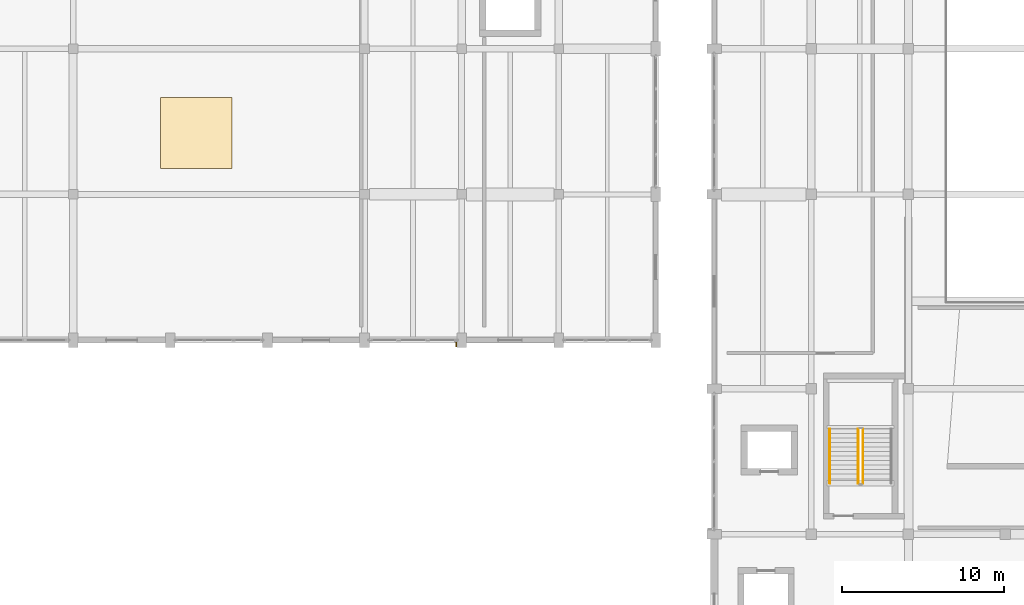
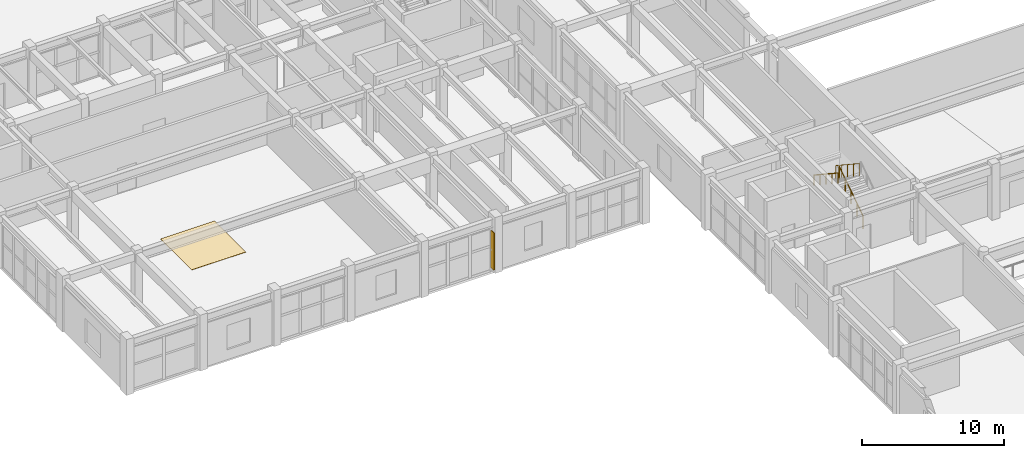
# One storey, part 69 of 80: 3 railings, 1 covering, 1 shading device.
"""IFC4 building model written with IfcOpenShell, lengths in metres."""

from ifc_helpers import new_model, si_unit, direction, frame, origin, origin_2d, place, context, subcontext, project, spatial, polyline, rectangle, circle, outline, extrude, material, layer, layer_set, type_object, element, save


model = new_model("IFC4")

# Units and contexts
model_context = context("Model", 3, precision=1e-05, world=origin(), true_north=direction((0.0, 1.0)))
body_context = subcontext(model_context, "Body", "Model", "MODEL_VIEW")
ifc_project = project(units=[si_unit("LENGTHUNIT", "METRE"), si_unit("AREAUNIT", "SQUARE_METRE"), si_unit("VOLUMEUNIT", "CUBIC_METRE"), si_unit("PLANEANGLEUNIT", "RADIAN"), si_unit("MASSUNIT", "GRAM", prefix="KILO")], contexts=[model_context])

# Site, building, storey
site_placement = place(None, origin())
site = spatial("IfcSite", under=ifc_project, at=site_placement, CompositionType="ELEMENT")
building_placement = place(site_placement, origin())
building = spatial("IfcBuilding", under=site, at=building_placement, Name="Vaelkrest Opera House", CompositionType="ELEMENT")
storey_placement = place(building_placement, frame((0.0, 0.0, 15.0)))
storey = spatial("IfcBuildingStorey", under=building, at=storey_placement, Name="L03", CompositionType="ELEMENT", Elevation=15.0)

# Covering
ifc_material_1 = material(Name="Douglas fir glulam GL28h", Category="wood")
ifc_layer = layer(ifc_material_1, 0.02490234375)
ifc_layer_set = layer_set([ifc_layer], Name="Douglas fir glulam GL28h")
covering_type = type_object("IfcCoveringType", Name="COV-FLR01", PredefinedType="FLOORING", material=ifc_layer_set)
covering_placement = place(storey_placement, origin())
element("IfcCovering", 1, at=covering_placement, inside=storey, type_object=covering_type, Name="Sprung Douglas fir stage flooring 08", PredefinedType="FLOORING", context=body_context, shape_type="SweptSolid", body=[
    extrude(outline(polyline([(-64.199951171875, -6.199951171875), (-59.800048828125, -6.199951171875), (-59.800048828125, -1.800048828125), (-64.199951171875, -1.800048828125), (-64.199951171875, -6.199951171875)])), origin(), (0.0, 0.0, 1.0), 0.02490234375),
])

# Shading device
ifc_material_2 = material(Name="Dark bronze anodized aluminium", Category="aluminium")
shading_device_type = type_object("IfcShadingDeviceType", Name="FIN01", PredefinedType="USERDEFINED", material=ifc_material_2)
shading_device_placement = place(storey_placement, frame((-45.93798828125, -16.97998046875, 0.27294921875), z_axis=(0.0, 0.0, 1.0), x_axis=(0.0, -1.0, 0.0)))
element("IfcShadingDevice", 2, at=shading_device_placement, inside=storey, type_object=shading_device_type, Name="Bronze vertical facade fin 15", ObjectType="FIN", PredefinedType="USERDEFINED", context=body_context, shape_type="SweptSolid", body=[
    extrude(rectangle(XDim=0.449951171875, YDim=0.080078125, at=origin_2d()), origin(), (0.0, 0.0, 1.0), 3.199951171875),
])

# Railings
railing_type_1 = type_object("IfcRailingType", Name="GR02", PredefinedType="GUARDRAIL", material=ifc_material_2)
railing_1_placement = place(storey_placement, frame((-20.800048828125, -25.64990234375, 0.1845703125)))
element("IfcRailing", 3, at=railing_1_placement, inside=storey, type_object=railing_type_1, Name="L03 ST01 stair guard 1", PredefinedType="GUARDRAIL", context=body_context, shape_type="SweptSolid", body=[
    extrude(circle(Radius=0.02392578125, at=origin_2d()), frame((0.0, 0.0, 1.076171875), z_axis=(0.0, 0.834858096282, 0.550465220583), x_axis=(-1.0, 0.0, 0.0)), (0.0, 0.0, 1.0), 4.0244140625),
    extrude(circle(Radius=0.02099609375, at=origin_2d()), origin(), (0.0, 0.0, 1.0), 1.052001953125),
    extrude(circle(Radius=0.02099609375, at=origin_2d()), frame((0.0, 0.83984375, 0.5537109375)), (0.0, 0.0, 1.0), 1.052001953125),
    extrude(circle(Radius=0.02099609375, at=origin_2d()), frame((0.0, 1.679931640625, 1.107666015625)), (0.0, 0.0, 1.0), 1.052001953125),
    extrude(circle(Radius=0.02099609375, at=origin_2d()), frame((0.0, 2.52001953125, 1.66162109375)), (0.0, 0.0, 1.0), 1.052001953125),
    extrude(circle(Radius=0.02099609375, at=origin_2d()), frame((0.0, 3.35986328125, 2.21533203125)), (0.0, 0.0, 1.0), 1.052001953125),
])
railing_2_placement = place(storey_placement, frame((-21.10009765625, -22.2900390625, 2.584716796875)))
element("IfcRailing", 4, at=railing_2_placement, inside=storey, type_object=railing_type_1, Name="L03 ST01 stair guard 3", PredefinedType="GUARDRAIL", context=body_context, shape_type="SweptSolid", body=[
    extrude(circle(Radius=0.02392578125, at=origin_2d()), frame((0.0, 0.0, 1.076171875), z_axis=(0.0, -0.834858096282, 0.550465220583), x_axis=(1.0, 0.0, 0.0)), (0.0, 0.0, 1.0), 4.0244140625),
    extrude(circle(Radius=0.02099609375, at=origin_2d()), origin(), (0.0, 0.0, 1.0), 1.052001953125),
    extrude(circle(Radius=0.02099609375, at=origin_2d()), frame((0.0, -0.83984375, 0.5537109375)), (0.0, 0.0, 1.0), 1.052001953125),
    extrude(circle(Radius=0.02099609375, at=origin_2d()), frame((0.0, -1.679931640625, 1.107666015625)), (0.0, 0.0, 1.0), 1.052001953125),
    extrude(circle(Radius=0.02099609375, at=origin_2d()), frame((0.0, -2.52001953125, 1.66162109375)), (0.0, 0.0, 1.0), 1.052001953125),
    extrude(circle(Radius=0.02099609375, at=origin_2d()), frame((0.0, -3.35986328125, 2.21533203125)), (0.0, 0.0, 1.0), 1.052001953125),
])
railing_type_2 = type_object("IfcRailingType", Name="HR02", PredefinedType="HANDRAIL", material=ifc_material_2)
railing_3_placement = place(storey_placement, frame((-22.85009765625, -22.2900390625, 2.584716796875)))
element("IfcRailing", 5, at=railing_3_placement, inside=storey, type_object=railing_type_2, Name="L03 ST01 stair handrail 2", PredefinedType="HANDRAIL", context=body_context, shape_type="SweptSolid", body=[
    extrude(circle(Radius=0.02392578125, at=origin_2d()), frame((0.0, 0.0, 0.8759765625), z_axis=(0.0, -0.834858096282, 0.550465220583), x_axis=(1.0, 0.0, 0.0)), (0.0, 0.0, 1.0), 4.0244140625),
    extrude(circle(Radius=0.02099609375, at=origin_2d()), origin(), (0.0, 0.0, 1.0), 0.851806640625),
    extrude(circle(Radius=0.02099609375, at=origin_2d()), frame((0.0, -0.83984375, 0.5537109375)), (0.0, 0.0, 1.0), 0.851806640625),
    extrude(circle(Radius=0.02099609375, at=origin_2d()), frame((0.0, -1.679931640625, 1.107666015625)), (0.0, 0.0, 1.0), 0.851806640625),
    extrude(circle(Radius=0.02099609375, at=origin_2d()), frame((0.0, -2.52001953125, 1.66162109375)), (0.0, 0.0, 1.0), 0.851806640625),
    extrude(circle(Radius=0.02099609375, at=origin_2d()), frame((0.0, -3.35986328125, 2.21533203125)), (0.0, 0.0, 1.0), 0.851806640625),
])

save(model, "model.ifc")
